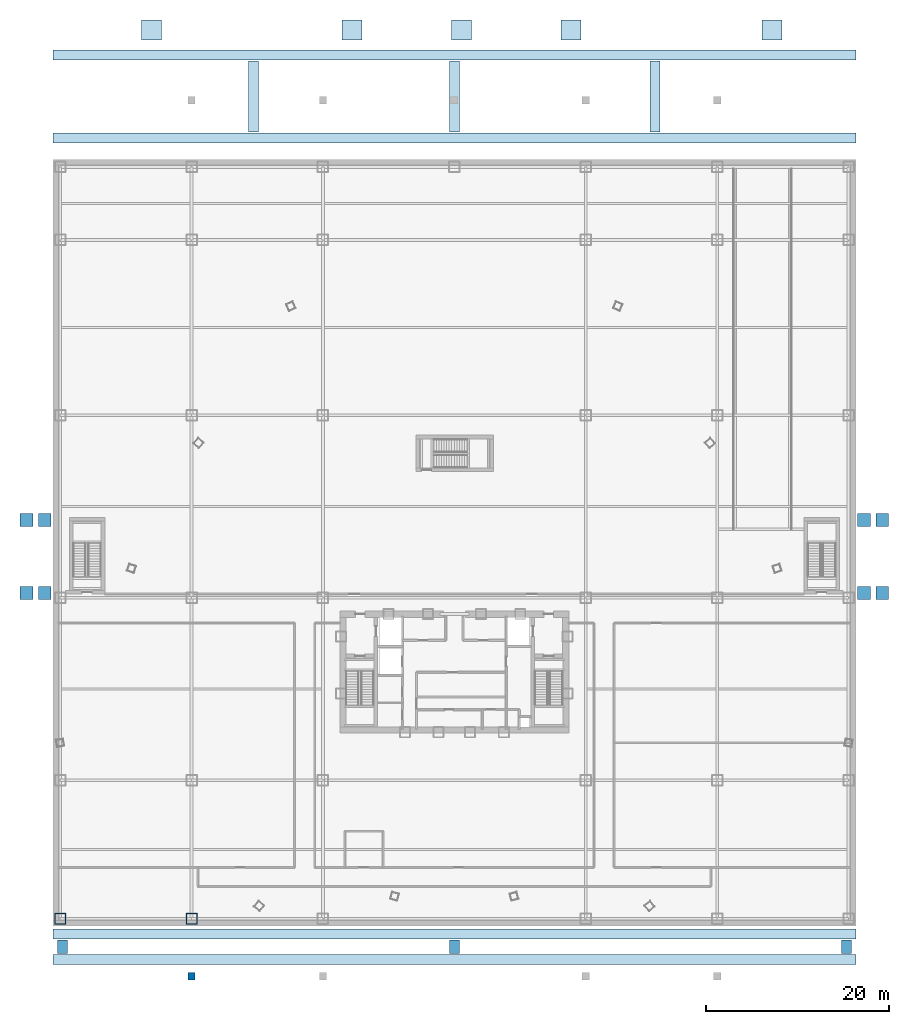
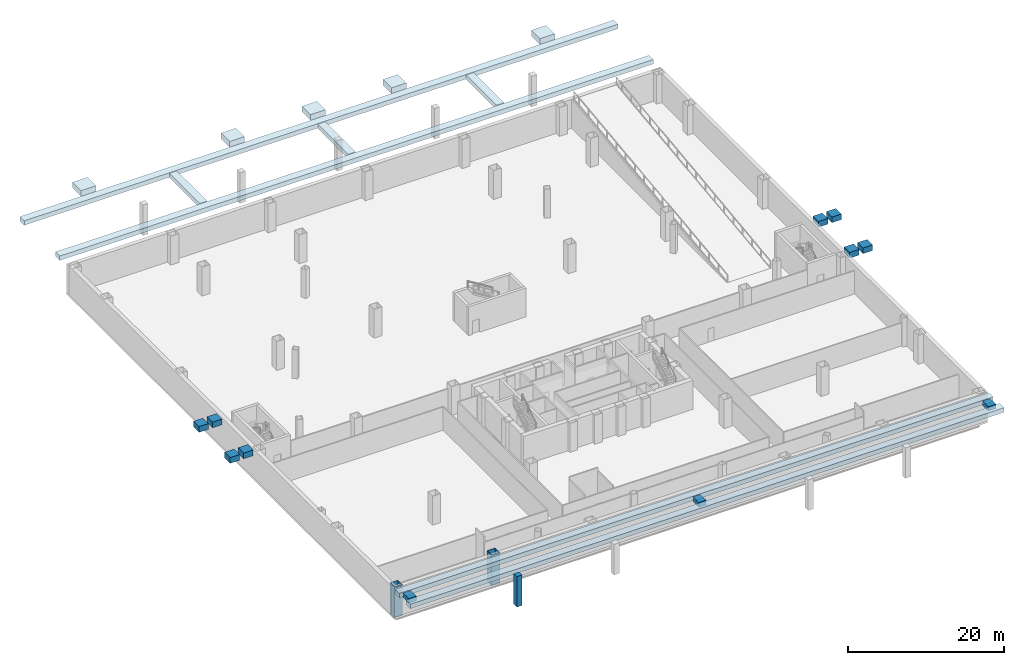
# One storey, part 1 of 16: 23 footings, 3 columns.
"""IFC4 building model written with IfcOpenShell, lengths in metres."""

from ifc_helpers import new_model, si_unit, direction, frame, origin, origin_2d, place, context, subcontext, project, spatial, polyline, rectangle, hollow_rectangle, outline, extrude, source, transform, mapped, material, layer, layer_set, material_profile, profile_set, type_object, element, save


model = new_model("IFC4")

# Units and contexts
model_context = context("Model", 3, precision=1e-05, world=origin(), true_north=direction((0.0, 1.0)))
body_context = subcontext(model_context, "Body", "Model", "MODEL_VIEW")
ifc_project = project(units=[si_unit("LENGTHUNIT", "METRE"), si_unit("AREAUNIT", "SQUARE_METRE"), si_unit("VOLUMEUNIT", "CUBIC_METRE"), si_unit("PLANEANGLEUNIT", "RADIAN"), si_unit("MASSUNIT", "GRAM", prefix="KILO"), si_unit("THERMODYNAMICTEMPERATUREUNIT", "KELVIN"), si_unit("POWERUNIT", "WATT")], contexts=[model_context])

# Site, building, storey
site_placement = place(None, origin())
site = spatial("IfcSite", under=ifc_project, at=site_placement, CompositionType="ELEMENT")
building_placement = place(site_placement, origin())
building = spatial("IfcBuilding", under=site, at=building_placement, Name="Yunzhuo Pagoda Commons", CompositionType="ELEMENT")
storey_placement = place(building_placement, frame((0.0, 0.0, -4.800048828125)))
storey = spatial("IfcBuildingStorey", under=building, at=storey_placement, Name="B01", CompositionType="ELEMENT", Elevation=-4.800048828125)

# Footings
ifc_material_1 = material(Name="Concrete C40", Category="concrete")
ifc_layer_1 = layer(ifc_material_1, 0.699951171875)
ifc_layer_set_1 = layer_set([ifc_layer_1], Name="Concrete C40")
footing_type_1 = type_object("IfcFootingType", Name="FT-STR1 Promenade Retaining Strip Footing 1100x700", PredefinedType="STRIP_FOOTING", material=ifc_layer_set_1)
footing_1_placement = place(storey_placement, frame((0.0, 0.0, 3.900146484375)))
element("IfcFooting", 1, at=footing_1_placement, inside=storey, type_object=footing_type_1, Name="Promenade grade strip footing NP1", PredefinedType="STRIP_FOOTING", context=body_context, shape_type="SweptSolid", body=[
    extrude(outline(polyline([(4.0, 91.800048828125), (92.0, 91.800048828125), (92.0, 92.89990234375), (4.0, 92.89990234375), (4.0, 91.800048828125)])), origin(), (0.0, 0.0, 1.0), 0.699951171875),
])
footing_2_placement = place(storey_placement, frame((0.0, 0.0, 3.900146484375)))
element("IfcFooting", 2, at=footing_2_placement, inside=storey, type_object=footing_type_1, Name="Promenade grade strip footing NP2", PredefinedType="STRIP_FOOTING", context=body_context, shape_type="SweptSolid", body=[
    extrude(outline(polyline([(4.0, 100.89990234375), (92.0, 100.89990234375), (92.0, 102.0), (4.0, 102.0), (4.0, 100.89990234375)])), origin(), (0.0, 0.0, 1.0), 0.699951171875),
])
footing_3_placement = place(storey_placement, frame((0.0, 0.0, 3.900146484375)))
element("IfcFooting", 3, at=footing_3_placement, inside=storey, type_object=footing_type_1, Name="Promenade grade strip footing NP3", PredefinedType="STRIP_FOOTING", context=body_context, shape_type="SweptSolid", body=[
    extrude(outline(polyline([(25.449951171875, 93.0), (26.550048828125, 93.0), (26.550048828125, 100.800048828125), (25.449951171875, 100.800048828125), (25.449951171875, 93.0)])), origin(), (0.0, 0.0, 1.0), 0.699951171875),
])
footing_4_placement = place(storey_placement, frame((0.0, 0.0, 3.900146484375)))
element("IfcFooting", 4, at=footing_4_placement, inside=storey, type_object=footing_type_1, Name="Promenade grade strip footing NP4", PredefinedType="STRIP_FOOTING", context=body_context, shape_type="SweptSolid", body=[
    extrude(outline(polyline([(47.449951171875, 93.0), (48.550048828125, 93.0), (48.550048828125, 100.800048828125), (47.449951171875, 100.800048828125), (47.449951171875, 93.0)])), origin(), (0.0, 0.0, 1.0), 0.699951171875),
])
footing_5_placement = place(storey_placement, frame((0.0, 0.0, 3.900146484375)))
element("IfcFooting", 5, at=footing_5_placement, inside=storey, type_object=footing_type_1, Name="Promenade grade strip footing NP5", PredefinedType="STRIP_FOOTING", context=body_context, shape_type="SweptSolid", body=[
    extrude(outline(polyline([(69.449951171875, 93.0), (70.550048828125, 93.0), (70.550048828125, 100.800048828125), (69.449951171875, 100.800048828125), (69.449951171875, 93.0)])), origin(), (0.0, 0.0, 1.0), 0.699951171875),
])
footing_6_placement = place(storey_placement, frame((0.0, 0.0, 3.900146484375)))
element("IfcFooting", 6, at=footing_6_placement, inside=storey, type_object=footing_type_1, Name="Promenade grade strip footing SP1", PredefinedType="STRIP_FOOTING", context=body_context, shape_type="SweptSolid", body=[
    extrude(outline(polyline([(4.0, 1.800048828125), (92.0, 1.800048828125), (92.0, 2.89990234375), (4.0, 2.89990234375), (4.0, 1.800048828125)])), origin(), (0.0, 0.0, 1.0), 0.699951171875),
])
footing_7_placement = place(storey_placement, frame((0.0, 0.0, 3.900146484375)))
element("IfcFooting", 7, at=footing_7_placement, inside=storey, type_object=footing_type_1, Name="Promenade grade strip footing SP2", PredefinedType="STRIP_FOOTING", context=body_context, shape_type="SweptSolid", body=[
    extrude(outline(polyline([(4.0, 4.60009765625), (92.0, 4.60009765625), (92.0, 5.699951171875), (4.0, 5.699951171875), (4.0, 4.60009765625)])), origin(), (0.0, 0.0, 1.0), 0.699951171875),
])
footing_8_placement = place(storey_placement, frame((0.0, 0.0, 3.900146484375)))
element("IfcFooting", 8, at=footing_8_placement, inside=storey, type_object=footing_type_1, Name="Promenade grade strip footing SPW", PredefinedType="STRIP_FOOTING", context=body_context, shape_type="SweptSolid", body=[
    extrude(outline(polyline([(4.5, 3.0), (5.60009765625, 3.0), (5.60009765625, 4.5), (4.5, 4.5), (4.5, 3.0)])), origin(), (0.0, 0.0, 1.0), 0.699951171875),
])
footing_9_placement = place(storey_placement, frame((0.0, 0.0, 3.900146484375)))
element("IfcFooting", 9, at=footing_9_placement, inside=storey, type_object=footing_type_1, Name="Promenade grade strip footing SPM", PredefinedType="STRIP_FOOTING", context=body_context, shape_type="SweptSolid", body=[
    extrude(outline(polyline([(47.449951171875, 3.0), (48.550048828125, 3.0), (48.550048828125, 4.5), (47.449951171875, 4.5), (47.449951171875, 3.0)])), origin(), (0.0, 0.0, 1.0), 0.699951171875),
])
footing_10_placement = place(storey_placement, frame((0.0, 0.0, 3.900146484375)))
element("IfcFooting", 10, at=footing_10_placement, inside=storey, type_object=footing_type_1, Name="Promenade grade strip footing SPE", PredefinedType="STRIP_FOOTING", context=body_context, shape_type="SweptSolid", body=[
    extrude(outline(polyline([(90.39990234375, 3.0), (91.5, 3.0), (91.5, 4.5), (90.39990234375, 4.5), (90.39990234375, 3.0)])), origin(), (0.0, 0.0, 1.0), 0.699951171875),
])
ifc_layer_2 = layer(ifc_material_1, 0.89990234375)
ifc_layer_set_2 = layer_set([ifc_layer_2], Name="Concrete C40")
footing_type_2 = type_object("IfcFootingType", Name="FT-PAD2 Entrance Pad Footing 2200x2200x900", PredefinedType="PAD_FOOTING", material=ifc_layer_set_2)
shared_shape_1 = source(origin(), body_context, "Body", "SweptSolid", [
    extrude(rectangle(XDim=2.199951171875, YDim=2.199951171875, at=origin_2d()), origin(), (0.0, 0.0, 1.0), 0.89990234375),
])
for number, where, z_axis, x_axis, name in (
    (11, (14.800048828125, 104.199951171875, 3.7001953125), (0.0, 0.0, 1.0), (1.0, 0.0, 0.0), "Pedestrian ramp toe pad footing 1"),
    (12, (36.800048828125, 104.199951171875, 3.7001953125), (0.0, 0.0, 1.0), (1.0, 0.0, 0.0), "Pedestrian ramp toe pad footing 2"),
    (13, (48.800048828125, 104.199951171875, 3.7001953125), (0.0, 0.0, 1.0), (1.0, 0.0, 0.0), "Pedestrian ramp toe pad footing 3"),
    (14, (60.800048828125, 104.199951171875, 3.7001953125), (0.0, 0.0, 1.0), (1.0, 0.0, 0.0), "Pedestrian ramp toe pad footing 4"),
    (15, (82.800048828125, 104.199951171875, 3.7001953125), (0.0, 0.0, 1.0), (1.0, 0.0, 0.0), "Pedestrian ramp toe pad footing 5"),
):
    element("IfcFooting", number, at=place(storey_placement, frame(where, z_axis=z_axis, x_axis=x_axis)), inside=storey, type_object=footing_type_2, Name=name, PredefinedType="PAD_FOOTING", context=body_context, shape_type="MappedRepresentation", body=[
        mapped(shared_shape_1, transform((0.0, 0.0, 0.0), scale=1.0)),
    ])
shared_shape_2 = source(origin(), body_context, "Body", "SweptSolid", [
    extrude(rectangle(XDim=1.39990234375, YDim=1.39990234375, at=origin_2d()), origin(), (0.0, 0.0, 1.0), 0.89990234375),
])
for number, where, z_axis, x_axis, name in (
    (16, (1.10009765625, 42.5, 3.7001953125), (0.0, 0.0, 1.0), (1.0, 0.0, 0.0), "L01 W exit plaza pad footing 1"),
    (17, (3.10009765625, 42.5, 3.7001953125), (0.0, 0.0, 1.0), (1.0, 0.0, 0.0), "L01 W exit plaza pad footing 2"),
    (18, (1.10009765625, 50.5, 3.7001953125), (0.0, 0.0, 1.0), (1.0, 0.0, 0.0), "L01 W exit plaza pad footing 3"),
    (19, (3.10009765625, 50.5, 3.7001953125), (0.0, 0.0, 1.0), (1.0, 0.0, 0.0), "L01 W exit plaza pad footing 4"),
    (20, (92.89990234375, 42.5, 3.7001953125), (0.0, 0.0, 1.0), (1.0, 0.0, 0.0), "L01 E exit plaza pad footing 1"),
    (21, (94.89990234375, 42.5, 3.7001953125), (0.0, 0.0, 1.0), (1.0, 0.0, 0.0), "L01 E exit plaza pad footing 2"),
    (22, (92.89990234375, 50.5, 3.7001953125), (0.0, 0.0, 1.0), (1.0, 0.0, 0.0), "L01 E exit plaza pad footing 3"),
    (23, (94.89990234375, 50.5, 3.7001953125), (0.0, 0.0, 1.0), (1.0, 0.0, 0.0), "L01 E exit plaza pad footing 4"),
):
    element("IfcFooting", number, at=place(storey_placement, frame(where, z_axis=z_axis, x_axis=x_axis)), inside=storey, type_object=footing_type_2, Name=name, PredefinedType="PAD_FOOTING", context=body_context, shape_type="MappedRepresentation", body=[
        mapped(shared_shape_2, transform((0.0, 0.0, 0.0), scale=1.0)),
    ])

# Columns
ifc_material_2 = material(Name="Structural steel Q420B", Category="steel")
ifc_material_profile_1 = material_profile(ifc_material_2, hollow_rectangle(XDim=1.199951171875, YDim=1.199951171875, WallThickness=0.050048828125, at=origin_2d()), Name="Structural steel Q420B")
ifc_profile_set_1 = profile_set([ifc_material_profile_1], Name="Structural steel Q420B")
column_type_1 = type_object("IfcColumnType", Name="C-POD Column BOX 1200x1200x50", PredefinedType="COLUMN", material=ifc_profile_set_1)
shared_shape_3 = source(origin(), body_context, "Body", "SweptSolid", [
    extrude(hollow_rectangle(XDim=1.199951171875, YDim=1.199951171875, WallThickness=0.050048828125, at=origin_2d()), origin(), (0.0, 0.0, 1.0), 4.820068359375),
])
for number, where, z_axis, x_axis, name in (
    (24, (4.800048828125, 6.800048828125, -0.300048828125), (0.0, 0.0, 1.0), (1.0, 0.0, 0.0), "B01 podium column P1_1"),
    (25, (19.199951171875, 6.800048828125, -0.300048828125), (0.0, 0.0, 1.0), (1.0, 0.0, 0.0), "B01 podium column P2_1"),
):
    element("IfcColumn", number, at=place(storey_placement, frame(where, z_axis=z_axis, x_axis=x_axis)), inside=storey, type_object=column_type_1, Name=name, PredefinedType="COLUMN", context=body_context, shape_type="MappedRepresentation", body=[
        mapped(shared_shape_3, transform((0.0, 0.0, 0.0), scale=1.0)),
    ])
ifc_material_3 = material(Name="Concrete C50", Category="concrete")
ifc_material_profile_2 = material_profile(ifc_material_3, rectangle(XDim=0.800048828125, YDim=0.800048828125, at=origin_2d()), Name="Concrete C50")
ifc_profile_set_2 = profile_set([ifc_material_profile_2], Name="Concrete C50")
column_type_2 = type_object("IfcColumnType", Name="C-PIL2 Pilaster RC 800x800", PredefinedType="PILASTER", material=ifc_profile_set_2)
shared_shape_4 = source(origin(), body_context, "Body", "SweptSolid", [
    extrude(rectangle(XDim=0.800048828125, YDim=0.800048828125, at=origin_2d()), origin(), (0.0, 0.0, 1.0), 4.800048828125),
])
column_placement = place(storey_placement, frame((19.199951171875, 0.5, 0.0), z_axis=(0.0, 0.0, 1.0), x_axis=(1.0, 0.0, 0.0)))
element("IfcColumn", 26, at=column_placement, inside=storey, type_object=column_type_2, Name="South canopy pedestal pier S1", PredefinedType="PILASTER", context=body_context, shape_type="MappedRepresentation", body=[
    mapped(shared_shape_4, transform((0.0, 0.0, 0.0), scale=1.0)),
])

save(model, "model.ifc")
